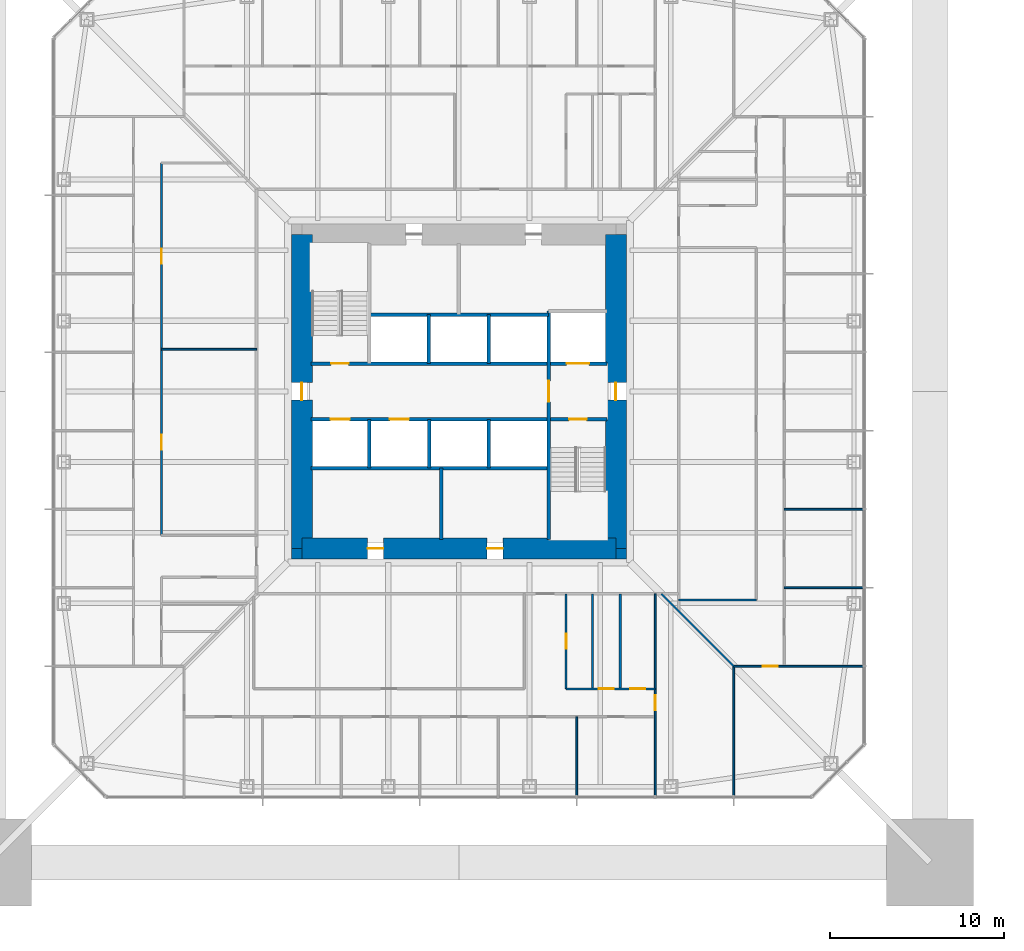
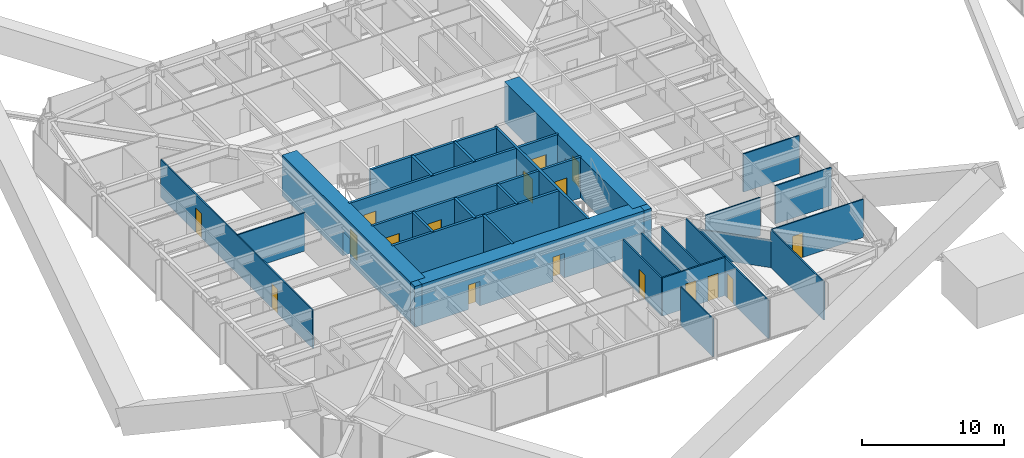
# One storey, part 16 of 27: 30 walls, 17 doors, 17 openings.
"""IFC4 building model written with IfcOpenShell, lengths in metres."""

import ifcopenshell
import ifcopenshell.guid

model = None  # the IFC model being written
_history = None  # IfcOwnerHistory: only IFC2X3 demands one
_inside = {}  # id of a spatial element -> (the spatial element, [elements in it])
_under = {}  # id of a project, library or spatial element -> (it, [spatial elements below it])
_declared = {}  # id of a project -> (the project, [libraries it declares])
_typed = {}  # id of a type object -> (the type object, [elements of that type])
_made_of = {}  # id of a material, layer set ... -> (it, [elements and type objects made of it])


def new_model(schema):
    """Start an empty IFC model of exactly this schema.

    Asked for "IFC4X3", IfcOpenShell would pick the latest addendum, in which some entities
    have other attributes; the version numbers below select the first issue.
    IFC2X3 requires an IfcOwnerHistory on every rooted entity: one is made here for all.
    """
    global model, _history
    if schema == "IFC4X3":
        model = ifcopenshell.file(schema_version=(4, 3, 0, 0))
    else:
        model = ifcopenshell.file(schema=schema)
    _inside.clear()
    _under.clear()
    _declared.clear()
    _typed.clear()
    _made_of.clear()
    _history = None
    if model.schema == "IFC2X3":
        org = make("IfcOrganization", Name="unknown")
        user = make(
            "IfcPersonAndOrganization",
            ThePerson=make("IfcPerson", FamilyName="unknown"),
            TheOrganization=org,
        )
        app = make(
            "IfcApplication",
            ApplicationDeveloper=org,
            Version="unknown",
            ApplicationFullName="unknown",
            ApplicationIdentifier="unknown",
        )
        _history = make(
            "IfcOwnerHistory",
            OwningUser=user,
            OwningApplication=app,
            ChangeAction="ADDED",
            CreationDate=0,
        )
    return model


def make(cls, **values):
    """One entity of the class cls with the attributes given. An attribute that is None is left unset."""
    return model.create_entity(
        cls, **{name: value for name, value in values.items() if value is not None}
    )


def rooted(cls, **values):
    """An entity with a GlobalId (a new one), such as an element, a storey or a relation."""
    return make(cls, GlobalId=ifcopenshell.guid.new(), OwnerHistory=_history, **values)


def si_unit(unit_type, name, prefix=None):
    """IfcSIUnit, for example si_unit("LENGTHUNIT", "METRE", prefix="MILLI")."""
    return make("IfcSIUnit", UnitType=unit_type, Prefix=prefix, Name=name)


def assignment(units):
    """IfcUnitAssignment: the units of a project."""
    return None if units is None else make("IfcUnitAssignment", Units=units)


def point(xyz):
    """IfcCartesianPoint."""
    return None if xyz is None else make("IfcCartesianPoint", Coordinates=xyz)


def direction(xyz):
    """IfcDirection."""
    return None if xyz is None else make("IfcDirection", DirectionRatios=xyz)


def frame(location, z_axis=None, x_axis=None):
    """IfcAxis2Placement3D, a coordinate frame: its origin and axes. An axis left out is left unset."""
    return make(
        "IfcAxis2Placement3D",
        Location=point(location),
        Axis=direction(z_axis),
        RefDirection=direction(x_axis),
    )


def frame_2d(location, x_axis=None):
    """IfcAxis2Placement2D, a coordinate frame in the plane: its origin and x axis."""
    return make(
        "IfcAxis2Placement2D", Location=point(location), RefDirection=direction(x_axis)
    )


def origin():
    """The frame at (0, 0, 0) with its axes left unset."""
    return frame((0.0, 0.0, 0.0))


def place(relative_to, where):
    """IfcLocalPlacement: puts the frame where relative to a parent placement (None: the world)."""
    return make(
        "IfcLocalPlacement", PlacementRelTo=relative_to, RelativePlacement=where
    )


def context(
    kind, dimensions, precision=None, world=None, true_north=None, identifier=None
):
    """IfcGeometricRepresentationContext, for example the 3D "Model" context."""
    return make(
        "IfcGeometricRepresentationContext",
        ContextIdentifier=identifier,
        ContextType=kind,
        CoordinateSpaceDimension=dimensions,
        Precision=precision,
        WorldCoordinateSystem=world,
        TrueNorth=true_north,
    )


def subcontext(parent, identifier, kind, view, scale=None):
    """IfcGeometricRepresentationSubContext, for example "Body" below "Model"."""
    return make(
        "IfcGeometricRepresentationSubContext",
        ContextIdentifier=identifier,
        ContextType=kind,
        ParentContext=parent,
        TargetScale=scale,
        TargetView=view,
    )


def project(units=None, contexts=None):
    """IfcProject with its units and contexts."""
    return rooted(
        "IfcProject",
        Name="project",
        RepresentationContexts=contexts,
        UnitsInContext=assignment(units),
    )


def spatial(cls, under=None, at=None, **own):
    """A site, building, storey or space (cls), placed at a placement, below another one or the project."""
    s = rooted(cls, ObjectPlacement=at, **own)
    if under is not None:
        _under.setdefault(under.id(), (under, []))[1].append(s)
    return s


def profile(cls, at=None, kind="AREA", **sizes):
    """A parametric profile (cls). Its sizes go by their IFC names, for example OverallWidth=200.0."""
    return make(cls, ProfileType=kind, Position=at, **sizes)


def rectangle(**sizes):
    """IfcRectangleProfileDef."""
    return profile("IfcRectangleProfileDef", **sizes)


def extrude(swept, where, along, depth):
    """IfcExtrudedAreaSolid: the profile swept, set in the frame where, extruded along a direction by depth."""
    return make(
        "IfcExtrudedAreaSolid",
        SweptArea=swept,
        Position=where,
        ExtrudedDirection=direction(along),
        Depth=depth,
    )


def shape(context_of_items, identifier, shape_type, items):
    """IfcShapeRepresentation: the items that make up one representation, for example the "Body"."""
    return make(
        "IfcShapeRepresentation",
        ContextOfItems=context_of_items,
        RepresentationIdentifier=identifier,
        RepresentationType=shape_type,
        Items=items,
    )


def material(Name=None, Category=None):
    """IfcMaterial."""
    return make("IfcMaterial", Name=Name, Category=Category)


def layer(
    of_material, thickness, ventilated=None, Name=None, Category=None, Priority=None
):
    """IfcMaterialLayer: one layer of a wall or slab, of a material (None: an air gap)."""
    return make(
        "IfcMaterialLayer",
        Material=of_material,
        LayerThickness=thickness,
        IsVentilated=ventilated,
        Name=Name,
        Category=Category,
        Priority=Priority,
    )


def layer_set(layers, Name=None):
    """IfcMaterialLayerSet."""
    return make("IfcMaterialLayerSet", MaterialLayers=layers, LayerSetName=Name)


def made_of(thing, what):
    """Note that an element or type object is made of a material, layer set ...; save() writes the relation."""
    if what is not None:
        _made_of.setdefault(what.id(), (what, []))[1].append(thing)
    return thing


def type_object(cls, material=None, **own):
    """A type object (cls), such as IfcWallType, which elements share."""
    return made_of(rooted(cls, **own), material)


def element(
    cls,
    number,
    at=None,
    inside=None,
    cuts=None,
    type_object=None,
    material=None,
    context=None,
    identifier="Body",
    shape_type=None,
    held_by="IfcProductDefinitionShape",
    body=None,
    shapes=None,
    **own,
):
    """One element of the class cls, such as IfcWall. Its Tag is "e" and its number.

    at: its placement. inside: the storey or other place that contains it. cuts: it is an
    opening in that element (IfcRelVoidsElement). A single representation is given by context,
    identifier, shape_type and body (its items); several are given by shapes. held_by: the class
    of the entity that holds the representations. save() writes the other relations.
    """
    e = rooted(cls, Tag="e%d" % number, ObjectPlacement=at, **own)
    if body is not None:
        shapes = [shape(context, identifier, shape_type, body)]
    if shapes is not None:
        e.Representation = make(held_by, Representations=shapes)
    if inside is not None:
        _inside.setdefault(inside.id(), (inside, []))[1].append(e)
    if cuts is not None:
        rooted(
            "IfcRelVoidsElement", RelatingBuildingElement=cuts, RelatedOpeningElement=e
        )
    if type_object is not None:
        _typed.setdefault(type_object.id(), (type_object, []))[1].append(e)
    return made_of(e, material)


def fill(opening, filler):
    """IfcRelFillsElement: the door or window that sits in an opening."""
    return rooted(
        "IfcRelFillsElement",
        RelatingOpeningElement=opening,
        RelatedBuildingElement=filler,
    )


def aggregate(whole, parts):
    """IfcRelAggregates: a whole, such as a stair, and the parts it consists of."""
    return rooted("IfcRelAggregates", RelatingObject=whole, RelatedObjects=parts)


def save(model, path):
    """Write the relations noted so far, then the file.

    IfcRelAggregates (storeys below a building ...), IfcRelContainedInSpatialStructure (elements
    in a storey), IfcRelDefinesByType, IfcRelAssociatesMaterial and IfcRelDeclares: one each for
    every whole, place, type object, material and project.
    """
    for whole, parts in _under.values():
        aggregate(whole, parts)
    for where, things in _inside.values():
        rooted(
            "IfcRelContainedInSpatialStructure",
            RelatedElements=things,
            RelatingStructure=where,
        )
    for kind, things in _typed.values():
        rooted("IfcRelDefinesByType", RelatedObjects=things, RelatingType=kind)
    for what, things in _made_of.values():
        rooted("IfcRelAssociatesMaterial", RelatedObjects=things, RelatingMaterial=what)
    for by, libraries in _declared.values():
        rooted("IfcRelDeclares", RelatingContext=by, RelatedDefinitions=libraries)
    model.write(path)


model = new_model("IFC4")

# Units and contexts
model_context = context("Model", 3, precision=1e-05, world=origin(), true_north=direction((0.0, 1.0)))
body_context = subcontext(model_context, "Body", "Model", "MODEL_VIEW")
ifc_project = project(units=[si_unit("LENGTHUNIT", "METRE"), si_unit("AREAUNIT", "SQUARE_METRE"), si_unit("VOLUMEUNIT", "CUBIC_METRE"), si_unit("PLANEANGLEUNIT", "RADIAN"), si_unit("MASSUNIT", "GRAM", prefix="KILO")], contexts=[model_context])

# Site, building, storey
site_placement = place(None, origin())
site = spatial("IfcSite", under=ifc_project, at=site_placement, CompositionType="ELEMENT")
building_placement = place(site_placement, origin())
building = spatial("IfcBuilding", under=site, at=building_placement, Name="Iwan Alto Co-Living Towers", CompositionType="ELEMENT")
storey_placement = place(building_placement, frame((0.0, 0.0, 25.5)))
storey = spatial("IfcBuildingStorey", under=building, at=storey_placement, Name="L06", CompositionType="ELEMENT", Elevation=25.5)

# Wall, opening, door
ifc_material_1 = material(Name="Gypsum board")
ifc_layer_1 = layer(ifc_material_1, 0.012451171875, Name="Board", Category="Finish")
ifc_material_2 = material(Name="Steel ASTM A1003 ST33H cold-formed studs", Category="steel")
ifc_layer_2 = layer(ifc_material_2, 0.074951171875, Name="Studs", Category="Framing")
ifc_layer_3 = layer(ifc_material_1, 0.012451171875, Name="Board", Category="Finish")
ifc_layer_set_1 = layer_set([ifc_layer_1, ifc_layer_2, ifc_layer_3], Name="PARTITION 100")
wall_type_1 = type_object("IfcWallType", Name="PARTITION 100", PredefinedType="PARTITIONING", material=ifc_layer_set_1)
wall_1_placement = place(storey_placement, frame((15.75, -15.75, 0.0), z_axis=(0.0, 0.0, 1.0), x_axis=(1.0, 0.0, 0.0)))
wall_1 = element("IfcWall", 1, at=wall_1_placement, inside=storey, type_object=wall_type_1, Name="Partition L06", PredefinedType="PARTITIONING", context=body_context, shape_type="SweptSolid", body=[
    extrude(rectangle(XDim=7.43994140625, YDim=0.10009765625, at=frame_2d((3.719970703125, 0.0))), origin(), (0.0, 0.0, 1.0), 3.27001953125),
])
opening_1_placement = place(wall_1_placement, frame((1.675048828125, 0.0, 0.0)))
opening_1 = element("IfcOpeningElement", 2, at=opening_1_placement, cuts=wall_1, Name="Opening D2", PredefinedType="OPENING", context=body_context, shape_type="SweptSolid", body=[
    extrude(rectangle(XDim=0.85009765625, YDim=2.10009765625, at=frame_2d((0.425048828125, 1.050048828125))), frame((0.0, 0.06005859375, 0.0), z_axis=(0.0, -1.0, 0.0), x_axis=(1.0, 0.0, 0.0)), (0.0, 0.0, 1.0), 0.1201171875),
])
ifc_material_3 = material(Name="Timber leaf in steel frame", Category="steel")
door_type_1 = type_object("IfcDoorType", Name="ROOM DOOR 850X2100", OperationType="SINGLE_SWING_LEFT", PredefinedType="DOOR", material=ifc_material_3)
door_1_placement = place(opening_1_placement, origin())
door_1 = element("IfcDoor", 3, at=door_1_placement, inside=storey, type_object=door_type_1, Name="Shared kitchen and lounge door L06", OperationType="SINGLE_SWING_RIGHT", OverallHeight=2.10009765625, OverallWidth=0.85009765625, PredefinedType="DOOR", context=body_context, shape_type="SweptSolid", body=[
    extrude(rectangle(XDim=0.85009765625, YDim=2.10009765625, at=frame_2d((0.425048828125, 1.050048828125))), frame((0.0, 0.02490234375, 0.0), z_axis=(0.0, -1.0, 0.0), x_axis=(1.0, 0.0, 0.0)), (0.0, 0.0, 1.0), 0.050048828125),
])
fill(opening_1, door_1)

# Walls
wall_2_placement = place(storey_placement, frame((12.60009765625, -11.949951171875, 0.0), z_axis=(0.0, 0.0, 1.0), x_axis=(1.0, 0.0, 0.0)))
element("IfcWall", 4, at=wall_2_placement, inside=storey, type_object=wall_type_1, Name="Partition L06", PredefinedType="PARTITIONING", context=body_context, shape_type="SweptSolid", body=[
    extrude(rectangle(XDim=4.449951171875, YDim=0.10009765625, at=frame_2d((2.22509765625, 0.0))), origin(), (0.0, 0.0, 1.0), 3.27001953125),
])
for number, where, z_axis, x_axis, name in (
    (5, (18.64990234375, -11.25, 0.0), (0.0, 0.0, 1.0), (1.0, 0.0, 0.0), "Partition L06"),
    (6, (18.64990234375, -6.75, 0.0), (0.0, 0.0, 1.0), (1.0, 0.0, 0.0), "Partition L06"),
):
    element("IfcWall", number, at=place(storey_placement, frame(where, z_axis=z_axis, x_axis=x_axis)), inside=storey, type_object=wall_type_1, Name=name, PredefinedType="PARTITIONING", context=body_context, shape_type="SweptSolid", body=[
        extrude(rectangle(XDim=4.5400390625, YDim=0.10009765625, at=frame_2d((2.27001953125, 0.0))), origin(), (0.0, 0.0, 1.0), 3.27001953125),
    ])
wall_3_placement = place(storey_placement, frame((-17.050048828125, 2.419921875, 0.0), z_axis=(0.0, 0.0, 1.0), x_axis=(1.0, 0.0, 0.0)))
element("IfcWall", 7, at=wall_3_placement, inside=storey, type_object=wall_type_1, Name="Partition L06", PredefinedType="PARTITIONING", context=body_context, shape_type="SweptSolid", body=[
    extrude(rectangle(XDim=5.449951171875, YDim=0.10009765625, at=frame_2d((2.72509765625, 0.0))), origin(), (0.0, 0.0, 1.0), 3.27001953125),
])
wall_4_placement = place(storey_placement, frame((15.75, -23.18994140625, 0.0), z_axis=(0.0, 0.0, 1.0), x_axis=(0.0, 1.0, 0.0)))
element("IfcWall", 8, at=wall_4_placement, inside=storey, type_object=wall_type_1, Name="Partition L06", PredefinedType="PARTITIONING", context=body_context, shape_type="SweptSolid", body=[
    extrude(rectangle(XDim=7.43994140625, YDim=0.10009765625, at=frame_2d((3.719970703125, 0.0))), origin(), (0.0, 0.0, 1.0), 3.27001953125),
])

# Wall, opening, door
wall_5_placement = place(storey_placement, frame((11.25, -23.18994140625, 0.0), z_axis=(0.0, 0.0, 1.0), x_axis=(0.0, 1.0, 0.0)))
wall_5 = element("IfcWall", 9, at=wall_5_placement, inside=storey, type_object=wall_type_1, Name="Partition L06", PredefinedType="PARTITIONING", context=body_context, shape_type="SweptSolid", body=[
    extrude(rectangle(XDim=11.58984375, YDim=0.10009765625, at=frame_2d((5.794921875, 0.0))), origin(), (0.0, 0.0, 1.0), 3.27001953125),
])
opening_2_placement = place(wall_5_placement, frame((4.9150390625, 0.0, 0.0)))
opening_2 = element("IfcOpeningElement", 10, at=opening_2_placement, cuts=wall_5, Name="Opening D2", PredefinedType="OPENING", context=body_context, shape_type="SweptSolid", body=[
    extrude(rectangle(XDim=0.85009765625, YDim=2.10009765625, at=frame_2d((0.425048828125, 1.050048828125))), frame((0.0, 0.06005859375, 0.0), z_axis=(0.0, -1.0, 0.0), x_axis=(1.0, 0.0, 0.0)), (0.0, 0.0, 1.0), 0.1201171875),
])
door_2_placement = place(opening_2_placement, origin())
door_2 = element("IfcDoor", 11, at=door_2_placement, inside=storey, type_object=door_type_1, Name="Seminar room door L06", OperationType="SINGLE_SWING_LEFT", OverallHeight=2.10009765625, OverallWidth=0.85009765625, PredefinedType="DOOR", context=body_context, shape_type="SweptSolid", body=[
    extrude(rectangle(XDim=0.85009765625, YDim=2.10009765625, at=frame_2d((0.425048828125, 1.050048828125))), frame((0.0, 0.02490234375, 0.0), z_axis=(0.0, -1.0, 0.0), x_axis=(1.0, 0.0, 0.0)), (0.0, 0.0, 1.0), 0.050048828125),
])
fill(opening_2, door_2)

# Wall
wall_6_placement = place(storey_placement, frame((6.75, -23.18994140625, 0.0), z_axis=(0.0, 0.0, 1.0), x_axis=(0.0, 1.0, 0.0)))
element("IfcWall", 12, at=wall_6_placement, inside=storey, type_object=wall_type_1, Name="Partition L06", PredefinedType="PARTITIONING", context=body_context, shape_type="SweptSolid", body=[
    extrude(rectangle(XDim=4.5400390625, YDim=0.10009765625, at=frame_2d((2.27001953125, 0.0))), origin(), (0.0, 0.0, 1.0), 3.27001953125),
])

# Wall, openings, doors
wall_7_placement = place(storey_placement, frame((-17.050048828125, -8.25, 0.0), z_axis=(0.0, 0.0, 1.0), x_axis=(0.0, 1.0, 0.0)))
wall_7 = element("IfcWall", 13, at=wall_7_placement, inside=storey, type_object=wall_type_1, Name="Partition L06", PredefinedType="PARTITIONING", context=body_context, shape_type="SweptSolid", body=[
    extrude(rectangle(XDim=21.340087890625, YDim=0.10009765625, at=frame_2d((10.669921875, 0.0))), origin(), (0.0, 0.0, 1.0), 3.27001953125),
])
opening_3_placement = place(wall_7_placement, frame((15.580078125, 0.0, 0.0)))
opening_3 = element("IfcOpeningElement", 14, at=opening_3_placement, cuts=wall_7, Name="Opening D2", PredefinedType="OPENING", context=body_context, shape_type="SweptSolid", body=[
    extrude(rectangle(XDim=0.85009765625, YDim=2.10009765625, at=frame_2d((0.425048828125, 1.050048828125))), frame((0.0, 0.06005859375, 0.0), z_axis=(0.0, -1.0, 0.0), x_axis=(1.0, 0.0, 0.0)), (0.0, 0.0, 1.0), 0.1201171875),
])
opening_4_placement = place(wall_7_placement, frame((4.909912109375, 0.0, 0.0)))
opening_4 = element("IfcOpeningElement", 15, at=opening_4_placement, cuts=wall_7, Name="Opening D2", PredefinedType="OPENING", context=body_context, shape_type="SweptSolid", body=[
    extrude(rectangle(XDim=0.85009765625, YDim=2.10009765625, at=frame_2d((0.425048828125, 1.050048828125))), frame((0.0, 0.06005859375, 0.0), z_axis=(0.0, -1.0, 0.0), x_axis=(1.0, 0.0, 0.0)), (0.0, 0.0, 1.0), 0.1201171875),
])
door_3_placement = place(opening_3_placement, origin())
door_3 = element("IfcDoor", 16, at=door_3_placement, inside=storey, type_object=door_type_1, Name="Study lounge door L06", OperationType="SINGLE_SWING_RIGHT", OverallHeight=2.10009765625, OverallWidth=0.85009765625, PredefinedType="DOOR", context=body_context, shape_type="SweptSolid", body=[
    extrude(rectangle(XDim=0.85009765625, YDim=2.10009765625, at=frame_2d((0.425048828125, 1.050048828125))), frame((0.0, 0.02490234375, 0.0), z_axis=(0.0, -1.0, 0.0), x_axis=(1.0, 0.0, 0.0)), (0.0, 0.0, 1.0), 0.050048828125),
])
fill(opening_3, door_3)
door_4_placement = place(opening_4_placement, origin())
door_4 = element("IfcDoor", 17, at=door_4_placement, inside=storey, type_object=door_type_1, Name="Study lounge door L06", OperationType="SINGLE_SWING_LEFT", OverallHeight=2.10009765625, OverallWidth=0.85009765625, PredefinedType="DOOR", context=body_context, shape_type="SweptSolid", body=[
    extrude(rectangle(XDim=0.85009765625, YDim=2.10009765625, at=frame_2d((0.425048828125, 1.050048828125))), frame((0.0, 0.02490234375, 0.0), z_axis=(0.0, -1.0, 0.0), x_axis=(1.0, 0.0, 0.0)), (0.0, 0.0, 1.0), 0.050048828125),
])
fill(opening_4, door_4)

# Walls
wall_8_placement = place(storey_placement, frame((15.75, -15.75, 0.0), z_axis=(0.0, 0.0, 1.0), x_axis=(-0.707106781187, 0.707106781187, 0.0)))
element("IfcWall", 18, at=wall_8_placement, inside=storey, type_object=wall_type_1, Name="Partition L06", PredefinedType="PARTITIONING", context=body_context, shape_type="SweptSolid", body=[
    extrude(rectangle(XDim=5.868896484375, YDim=0.10009765625, at=frame_2d((2.9345703125, 0.0))), origin(), (0.0, 0.0, 1.0), 2.343017578125),
])
ifc_material_4 = material(Name="Concrete f'c 70 MPa", Category="concrete")
ifc_layer_4 = layer(ifc_material_4, 0.199951171875)
ifc_layer_set_2 = layer_set([ifc_layer_4], Name="SHAFT WALL 200")
wall_type_2 = type_object("IfcWallType", Name="SHAFT WALL 200", PredefinedType="SOLIDWALL", material=ifc_layer_set_2)
wall_9_placement = place(storey_placement, frame((-8.489990234375, -4.39990234375, 0.0), z_axis=(0.0, 0.0, 1.0), x_axis=(1.0, 0.0, 0.0)))
element("IfcWall", 19, at=wall_9_placement, inside=storey, type_object=wall_type_2, Name="Shaft wall L06", PredefinedType="SOLIDWALL", context=body_context, shape_type="SweptSolid", body=[
    extrude(rectangle(XDim=13.639892578125, YDim=0.199951171875, at=frame_2d((6.81982421875, 0.0))), origin(), (0.0, 0.0, 1.0), 3.5),
])

# Wall, openings, doors
wall_10_placement = place(storey_placement, frame((-8.489990234375, -1.60009765625, 0.0), z_axis=(0.0, 0.0, 1.0), x_axis=(1.0, 0.0, 0.0)))
wall_10 = element("IfcWall", 20, at=wall_10_placement, inside=storey, type_object=wall_type_2, Name="Shaft wall L06", PredefinedType="SOLIDWALL", context=body_context, shape_type="SweptSolid", body=[
    extrude(rectangle(XDim=16.97998046875, YDim=0.199951171875, at=frame_2d((8.489990234375, 0.0))), origin(), (0.0, 0.0, 1.0), 3.5),
])
opening_5_placement = place(wall_10_placement, frame((14.81005859375, 0.0, 0.0)))
opening_5 = element("IfcOpeningElement", 21, at=opening_5_placement, cuts=wall_10, Name="Opening D5", PredefinedType="OPENING", context=body_context, shape_type="SweptSolid", body=[
    extrude(rectangle(XDim=1.0, YDim=2.10009765625, at=frame_2d((0.5, 1.050048828125))), frame((0.0, 0.10986328125, 0.0), z_axis=(0.0, -1.0, 0.0), x_axis=(1.0, 0.0, 0.0)), (0.0, 0.0, 1.0), 0.219970703125),
])
opening_6_placement = place(wall_10_placement, frame((1.133056640625, 0.0, 0.0)))
opening_6 = element("IfcOpeningElement", 22, at=opening_6_placement, cuts=wall_10, Name="Opening LD", PredefinedType="OPENING", context=body_context, shape_type="SweptSolid", body=[
    extrude(rectangle(XDim=1.10009765625, YDim=2.10009765625, at=frame_2d((0.550048828125, 1.050048828125))), frame((0.0, 0.10986328125, 0.0), z_axis=(0.0, -1.0, 0.0), x_axis=(1.0, 0.0, 0.0)), (0.0, 0.0, 1.0), 0.219970703125),
])
opening_7_placement = place(wall_10_placement, frame((4.528076171875, 0.0, 0.0)))
opening_7 = element("IfcOpeningElement", 23, at=opening_7_placement, cuts=wall_10, Name="Opening LD", PredefinedType="OPENING", context=body_context, shape_type="SweptSolid", body=[
    extrude(rectangle(XDim=1.10009765625, YDim=2.10009765625, at=frame_2d((0.550048828125, 1.050048828125))), frame((0.0, 0.10986328125, 0.0), z_axis=(0.0, -1.0, 0.0), x_axis=(1.0, 0.0, 0.0)), (0.0, 0.0, 1.0), 0.219970703125),
])
ifc_material_5 = material(Name="Steel frame with timber leaf", Category="steel")
door_type_2 = type_object("IfcDoorType", Name="LIFT LANDING DOOR 1100X2100", OperationType="DOUBLE_DOOR_SLIDING", PredefinedType="DOOR", material=ifc_material_5)
door_5_placement = place(opening_6_placement, origin())
door_5 = element("IfcDoor", 24, at=door_5_placement, inside=storey, type_object=door_type_2, Name="Lift P1-1 landing door L06", OperationType="DOUBLE_DOOR_SLIDING", OverallHeight=2.10009765625, OverallWidth=1.10009765625, PredefinedType="DOOR", context=body_context, shape_type="SweptSolid", body=[
    extrude(rectangle(XDim=1.10009765625, YDim=2.10009765625, at=frame_2d((0.550048828125, 1.050048828125))), frame((0.0, 0.02490234375, 0.0), z_axis=(0.0, -1.0, 0.0), x_axis=(1.0, 0.0, 0.0)), (0.0, 0.0, 1.0), 0.050048828125),
])
fill(opening_6, door_5)
door_6_placement = place(opening_7_placement, origin())
door_6 = element("IfcDoor", 25, at=door_6_placement, inside=storey, type_object=door_type_2, Name="Lift P1-2 landing door L06", OperationType="DOUBLE_DOOR_SLIDING", OverallHeight=2.10009765625, OverallWidth=1.10009765625, PredefinedType="DOOR", context=body_context, shape_type="SweptSolid", body=[
    extrude(rectangle(XDim=1.10009765625, YDim=2.10009765625, at=frame_2d((0.550048828125, 1.050048828125))), frame((0.0, 0.02490234375, 0.0), z_axis=(0.0, -1.0, 0.0), x_axis=(1.0, 0.0, 0.0)), (0.0, 0.0, 1.0), 0.050048828125),
])
fill(opening_7, door_6)
ifc_material_6 = material(Name="Steel frame with timber leaf", Category="steel")
door_type_3 = type_object("IfcDoorType", Name="STAIR DOOR FD120S 1000X2100", OperationType="SINGLE_SWING_LEFT", PredefinedType="DOOR", material=ifc_material_6)
door_7_placement = place(opening_5_placement, frame((1.0, 0.0, 0.0), z_axis=(0.0, 0.0, 1.0), x_axis=(-1.0, 0.0, 0.0)))
door_7 = element("IfcDoor", 26, at=door_7_placement, inside=storey, type_object=door_type_3, Name="Stair S2 door L06", OperationType="SINGLE_SWING_RIGHT", OverallHeight=2.10009765625, OverallWidth=1.0, PredefinedType="DOOR", context=body_context, shape_type="SweptSolid", body=[
    extrude(rectangle(XDim=1.0, YDim=2.10009765625, at=frame_2d((0.5, 1.050048828125))), frame((0.0, 0.02490234375, 0.0), z_axis=(0.0, -1.0, 0.0), x_axis=(1.0, 0.0, 0.0)), (0.0, 0.0, 1.0), 0.050048828125),
])
fill(opening_5, door_7)

wall_11_placement = place(storey_placement, frame((-8.489990234375, 1.60009765625, 0.0), z_axis=(0.0, 0.0, 1.0), x_axis=(1.0, 0.0, 0.0)))
wall_11 = element("IfcWall", 27, at=wall_11_placement, inside=storey, type_object=wall_type_2, Name="Shaft wall L06", PredefinedType="SOLIDWALL", context=body_context, shape_type="SweptSolid", body=[
    extrude(rectangle(XDim=16.97998046875, YDim=0.199951171875, at=frame_2d((8.489990234375, 0.0))), origin(), (0.0, 0.0, 1.0), 3.5),
])
opening_8_placement = place(wall_11_placement, frame((1.169921875, 0.0, 0.0)))
opening_8 = element("IfcOpeningElement", 28, at=opening_8_placement, cuts=wall_11, Name="Opening D5", PredefinedType="OPENING", context=body_context, shape_type="SweptSolid", body=[
    extrude(rectangle(XDim=1.0, YDim=2.10009765625, at=frame_2d((0.5, 1.050048828125))), frame((0.0, 0.10986328125, 0.0), z_axis=(0.0, -1.0, 0.0), x_axis=(1.0, 0.0, 0.0)), (0.0, 0.0, 1.0), 0.219970703125),
])
opening_9_placement = place(wall_11_placement, frame((14.659912109375, 0.0, 0.0)))
opening_9 = element("IfcOpeningElement", 29, at=opening_9_placement, cuts=wall_11, Name="Opening LD2", PredefinedType="OPENING", context=body_context, shape_type="SweptSolid", body=[
    extrude(rectangle(XDim=1.300048828125, YDim=2.10009765625, at=frame_2d((0.64990234375, 1.050048828125))), frame((0.0, 0.10986328125, 0.0), z_axis=(0.0, -1.0, 0.0), x_axis=(1.0, 0.0, 0.0)), (0.0, 0.0, 1.0), 0.219970703125),
])
ifc_material_7 = material(Name="Steel frame with timber leaf", Category="steel")
door_type_4 = type_object("IfcDoorType", Name="LIFT LANDING DOOR 1300X2100", OperationType="SLIDING_TO_LEFT", PredefinedType="DOOR", material=ifc_material_7)
door_8_placement = place(opening_9_placement, origin())
door_8 = element("IfcDoor", 30, at=door_8_placement, inside=storey, type_object=door_type_4, Name="Lift FL1 landing door L06", OperationType="SLIDING_TO_LEFT", OverallHeight=2.10009765625, OverallWidth=1.300048828125, PredefinedType="DOOR", context=body_context, shape_type="SweptSolid", body=[
    extrude(rectangle(XDim=1.300048828125, YDim=2.10009765625, at=frame_2d((0.64990234375, 1.050048828125))), frame((0.0, 0.02490234375, 0.0), z_axis=(0.0, -1.0, 0.0), x_axis=(1.0, 0.0, 0.0)), (0.0, 0.0, 1.0), 0.050048828125),
])
fill(opening_9, door_8)
door_9_placement = place(opening_8_placement, origin())
door_9 = element("IfcDoor", 31, at=door_9_placement, inside=storey, type_object=door_type_3, Name="Stair S1 door L06", OperationType="SINGLE_SWING_RIGHT", OverallHeight=2.10009765625, OverallWidth=1.0, PredefinedType="DOOR", context=body_context, shape_type="SweptSolid", body=[
    extrude(rectangle(XDim=1.0, YDim=2.10009765625, at=frame_2d((0.5, 1.050048828125))), frame((0.0, 0.02490234375, 0.0), z_axis=(0.0, -1.0, 0.0), x_axis=(1.0, 0.0, 0.0)), (0.0, 0.0, 1.0), 0.050048828125),
])
fill(opening_8, door_9)

# Wall
wall_12_placement = place(storey_placement, frame((-5.14990234375, 4.39990234375, 0.0), z_axis=(0.0, 0.0, 1.0), x_axis=(1.0, 0.0, 0.0)))
element("IfcWall", 32, at=wall_12_placement, inside=storey, type_object=wall_type_2, Name="Shaft wall L06", PredefinedType="SOLIDWALL", context=body_context, shape_type="SweptSolid", body=[
    extrude(rectangle(XDim=10.2998046875, YDim=0.199951171875, at=frame_2d((5.14990234375, 0.0))), origin(), (0.0, 0.0, 1.0), 3.5),
])

# Wall, opening, door
wall_13_placement = place(storey_placement, frame((5.14990234375, -8.489990234375, 0.0), z_axis=(0.0, 0.0, 1.0), x_axis=(0.0, 1.0, 0.0)))
wall_13 = element("IfcWall", 33, at=wall_13_placement, inside=storey, type_object=wall_type_2, Name="Shaft wall L06", PredefinedType="SOLIDWALL", context=body_context, shape_type="SweptSolid", body=[
    extrude(rectangle(XDim=13.090087890625, YDim=0.199951171875, at=frame_2d((6.544921875, 0.0))), origin(), (0.0, 0.0, 1.0), 3.5),
])
opening_10_placement = place(wall_13_placement, frame((7.889892578125, 0.0, 0.0)))
opening_10 = element("IfcOpeningElement", 34, at=opening_10_placement, cuts=wall_13, Name="Opening D6", PredefinedType="OPENING", context=body_context, shape_type="SweptSolid", body=[
    extrude(rectangle(XDim=1.199951171875, YDim=2.10009765625, at=frame_2d((0.60009765625, 1.050048828125))), frame((0.0, 0.10986328125, 0.0), z_axis=(0.0, -1.0, 0.0), x_axis=(1.0, 0.0, 0.0)), (0.0, 0.0, 1.0), 0.219970703125),
])
ifc_material_8 = material(Name="Steel frame with timber leaf", Category="steel")
door_type_5 = type_object("IfcDoorType", Name="LOBBY DOOR FD120S 1200X2100", OperationType="SINGLE_SWING_LEFT", PredefinedType="DOOR", material=ifc_material_8)
door_10_placement = place(opening_10_placement, frame((1.199951171875, 0.0, 0.0), z_axis=(0.0, 0.0, 1.0), x_axis=(-1.0, 0.0, 0.0)))
door_10 = element("IfcDoor", 35, at=door_10_placement, inside=storey, type_object=door_type_5, Name="Firefighting lobby door L06", OperationType="SINGLE_SWING_RIGHT", OverallHeight=2.10009765625, OverallWidth=1.199951171875, PredefinedType="DOOR", context=body_context, shape_type="SweptSolid", body=[
    extrude(rectangle(XDim=1.199951171875, YDim=2.10009765625, at=frame_2d((0.60009765625, 1.050048828125))), frame((0.0, 0.02490234375, 0.0), z_axis=(0.0, -1.0, 0.0), x_axis=(1.0, 0.0, 0.0)), (0.0, 0.0, 1.0), 0.050048828125),
])
fill(opening_10, door_10)

# Walls
for number, where, z_axis, x_axis, name in (
    (36, (1.72509765625, -4.39990234375, 0.0), (0.0, 0.0, 1.0), (0.0, 1.0, 0.0), "Shaft wall L06"),
    (37, (1.717041015625, 1.60009765625, 0.0), (0.0, 0.0, 1.0), (0.0, 1.0, 0.0), "Shaft wall L06"),
):
    element("IfcWall", number, at=place(storey_placement, frame(where, z_axis=z_axis, x_axis=x_axis)), inside=storey, type_object=wall_type_2, Name=name, PredefinedType="SOLIDWALL", context=body_context, shape_type="SweptSolid", body=[
        extrude(rectangle(XDim=2.7998046875, YDim=0.199951171875, at=frame_2d((1.39990234375, 0.0))), origin(), (0.0, 0.0, 1.0), 3.5),
    ])
wall_14_placement = place(storey_placement, frame((-1.0, -8.489990234375, 0.0), z_axis=(0.0, 0.0, 1.0), x_axis=(0.0, 1.0, 0.0)))
element("IfcWall", 38, at=wall_14_placement, inside=storey, type_object=wall_type_2, Name="Shaft wall L06", PredefinedType="SOLIDWALL", context=body_context, shape_type="SweptSolid", body=[
    extrude(rectangle(XDim=4.090087890625, YDim=0.199951171875, at=frame_2d((2.044921875, 0.0))), origin(), (0.0, 0.0, 1.0), 3.5),
])
for number, where, z_axis, x_axis, name in (
    (39, (-1.699951171875, -4.39990234375, 0.0), (0.0, 0.0, 1.0), (0.0, 1.0, 0.0), "Shaft wall L06"),
    (40, (-1.717041015625, 1.60009765625, 0.0), (0.0, 0.0, 1.0), (0.0, 1.0, 0.0), "Shaft wall L06"),
    (41, (-5.125, -4.39990234375, 0.0), (0.0, 0.0, 1.0), (0.0, 1.0, 0.0), "Shaft wall L06"),
):
    element("IfcWall", number, at=place(storey_placement, frame(where, z_axis=z_axis, x_axis=x_axis)), inside=storey, type_object=wall_type_2, Name=name, PredefinedType="SOLIDWALL", context=body_context, shape_type="SweptSolid", body=[
        extrude(rectangle(XDim=2.7998046875, YDim=0.199951171875, at=frame_2d((1.39990234375, 0.0))), origin(), (0.0, 0.0, 1.0), 3.5),
    ])
ifc_material_9 = material(Name="Concrete f'c 70 MPa", Category="concrete")
ifc_layer_5 = layer(ifc_material_9, 0.60009765625)
ifc_layer_set_3 = layer_set([ifc_layer_5], Name="T1 CORE CORNER FILL 600")
wall_type_3 = type_object("IfcWallType", Name="T1 CORE CORNER FILL 600", PredefinedType="SOLIDWALL", material=ifc_layer_set_3)
for number, where, z_axis, x_axis, name in (
    (42, (-9.60009765625, -9.300048828125, 0.0), (0.0, 0.0, 1.0), (1.0, 0.0, 0.0), "T1 core corner SW L06"),
    (43, (9.0, -9.300048828125, 0.0), (0.0, 0.0, 1.0), (1.0, 0.0, 0.0), "T1 core corner SE L06"),
):
    element("IfcWall", number, at=place(storey_placement, frame(where, z_axis=z_axis, x_axis=x_axis)), inside=storey, type_object=wall_type_3, Name=name, PredefinedType="SOLIDWALL", context=body_context, shape_type="SweptSolid", body=[
        extrude(rectangle(XDim=0.60009765625, YDim=0.60009765625, at=frame_2d((0.300048828125, 0.0))), origin(), (0.0, 0.0, 1.0), 3.5),
    ])

# Wall, openings, doors
ifc_material_10 = material(Name="Concrete f'c 70 MPa", Category="concrete")
ifc_layer_6 = layer(ifc_material_10, 1.199951171875)
ifc_layer_set_4 = layer_set([ifc_layer_6], Name="T1 CORE WALL 1200")
wall_type_4 = type_object("IfcWallType", Name="T1 CORE WALL 1200", PredefinedType="SHEAR", material=ifc_layer_set_4)
wall_15_placement = place(storey_placement, frame((-9.0, -9.0, 0.0), z_axis=(0.0, 0.0, 1.0), x_axis=(1.0, 0.0, 0.0)))
wall_15 = element("IfcWall", 44, at=wall_15_placement, inside=storey, type_object=wall_type_4, Name="T1 core wall S L06", PredefinedType="SHEAR", context=body_context, shape_type="SweptSolid", body=[
    extrude(rectangle(XDim=18.0, YDim=1.199951171875, at=frame_2d((9.0, 0.0))), origin(), (0.0, 0.0, 1.0), 3.5),
])
opening_11_placement = place(wall_15_placement, frame((3.77490234375, 0.0, 0.0)))
opening_11 = element("IfcOpeningElement", 45, at=opening_11_placement, cuts=wall_15, Name="Opening D8", PredefinedType="OPENING", context=body_context, shape_type="SweptSolid", body=[
    extrude(rectangle(XDim=0.89990234375, YDim=2.10009765625, at=frame_2d((0.449951171875, 1.050048828125))), frame((0.0, 0.60986328125, 0.0), z_axis=(0.0, -1.0, 0.0), x_axis=(1.0, 0.0, 0.0)), (0.0, 0.0, 1.0), 1.219970703125),
])
opening_12_placement = place(wall_15_placement, frame((10.625, 0.0, 0.0)))
opening_12 = element("IfcOpeningElement", 46, at=opening_12_placement, cuts=wall_15, Name="Opening D8", PredefinedType="OPENING", context=body_context, shape_type="SweptSolid", body=[
    extrude(rectangle(XDim=0.89990234375, YDim=2.10009765625, at=frame_2d((0.449951171875, 1.050048828125))), frame((0.0, 0.60986328125, 0.0), z_axis=(0.0, -1.0, 0.0), x_axis=(1.0, 0.0, 0.0)), (0.0, 0.0, 1.0), 1.219970703125),
])
ifc_material_11 = material(Name="Steel frame with timber leaf", Category="steel")
door_type_6 = type_object("IfcDoorType", Name="RISER DOOR FD120 900X2100", OperationType="SINGLE_SWING_LEFT", PredefinedType="DOOR", material=ifc_material_11)
door_11_placement = place(opening_11_placement, origin())
door_11 = element("IfcDoor", 47, at=door_11_placement, inside=storey, type_object=door_type_6, Name="Refuse room core door L06", OperationType="SINGLE_SWING_LEFT", OverallHeight=2.10009765625, OverallWidth=0.89990234375, PredefinedType="DOOR", context=body_context, shape_type="SweptSolid", body=[
    extrude(rectangle(XDim=0.89990234375, YDim=2.10009765625, at=frame_2d((0.449951171875, 1.050048828125))), frame((0.0, 0.02490234375, 0.0), z_axis=(0.0, -1.0, 0.0), x_axis=(1.0, 0.0, 0.0)), (0.0, 0.0, 1.0), 0.050048828125),
])
fill(opening_11, door_11)
door_12_placement = place(opening_12_placement, origin())
door_12 = element("IfcDoor", 48, at=door_12_placement, inside=storey, type_object=door_type_6, Name="Telecom riser core door L06", OperationType="SINGLE_SWING_LEFT", OverallHeight=2.10009765625, OverallWidth=0.89990234375, PredefinedType="DOOR", context=body_context, shape_type="SweptSolid", body=[
    extrude(rectangle(XDim=0.89990234375, YDim=2.10009765625, at=frame_2d((0.449951171875, 1.050048828125))), frame((0.0, 0.02490234375, 0.0), z_axis=(0.0, -1.0, 0.0), x_axis=(1.0, 0.0, 0.0)), (0.0, 0.0, 1.0), 0.050048828125),
])
fill(opening_12, door_12)

# Wall, opening, door
wall_16_placement = place(storey_placement, frame((9.0, -9.0, 0.0), z_axis=(0.0, 0.0, 1.0), x_axis=(0.0, 1.0, 0.0)))
wall_16 = element("IfcWall", 49, at=wall_16_placement, inside=storey, type_object=wall_type_4, Name="T1 core wall E L06", PredefinedType="SHEAR", context=body_context, shape_type="SweptSolid", body=[
    extrude(rectangle(XDim=18.0, YDim=1.199951171875, at=frame_2d((9.0, 0.0))), origin(), (0.0, 0.0, 1.0), 3.5),
])
opening_13_placement = place(wall_16_placement, frame((8.5, 0.0, 0.0)))
opening_13 = element("IfcOpeningElement", 50, at=opening_13_placement, cuts=wall_16, Name="Opening D7", PredefinedType="OPENING", context=body_context, shape_type="SweptSolid", body=[
    extrude(rectangle(XDim=1.0, YDim=2.10009765625, at=frame_2d((0.5, 1.050048828125))), frame((0.0, 0.60986328125, 0.0), z_axis=(0.0, -1.0, 0.0), x_axis=(1.0, 0.0, 0.0)), (0.0, 0.0, 1.0), 1.219970703125),
])
ifc_material_12 = material(Name="Steel frame with timber leaf", Category="steel")
door_type_7 = type_object("IfcDoorType", Name="CORE DOOR FD120S 1000X2100", OperationType="SINGLE_SWING_LEFT", PredefinedType="DOOR", material=ifc_material_12)
door_13_placement = place(opening_13_placement, origin())
door_13 = element("IfcDoor", 51, at=door_13_placement, inside=storey, type_object=door_type_7, Name="Firefighting lobby core door L06", OperationType="SINGLE_SWING_LEFT", OverallHeight=2.10009765625, OverallWidth=1.0, PredefinedType="DOOR", context=body_context, shape_type="SweptSolid", body=[
    extrude(rectangle(XDim=1.0, YDim=2.10009765625, at=frame_2d((0.5, 1.050048828125))), frame((0.0, 0.02490234375, 0.0), z_axis=(0.0, -1.0, 0.0), x_axis=(1.0, 0.0, 0.0)), (0.0, 0.0, 1.0), 0.050048828125),
])
fill(opening_13, door_13)

wall_17_placement = place(storey_placement, frame((-9.0, 9.0, 0.0), z_axis=(0.0, 0.0, 1.0), x_axis=(0.0, -1.0, 0.0)))
wall_17 = element("IfcWall", 52, at=wall_17_placement, inside=storey, type_object=wall_type_4, Name="T1 core wall W L06", PredefinedType="SHEAR", context=body_context, shape_type="SweptSolid", body=[
    extrude(rectangle(XDim=18.0, YDim=1.199951171875, at=frame_2d((9.0, 0.0))), origin(), (0.0, 0.0, 1.0), 3.5),
])
opening_14_placement = place(wall_17_placement, frame((8.5, 0.0, 0.0)))
opening_14 = element("IfcOpeningElement", 53, at=opening_14_placement, cuts=wall_17, Name="Opening D7", PredefinedType="OPENING", context=body_context, shape_type="SweptSolid", body=[
    extrude(rectangle(XDim=1.0, YDim=2.10009765625, at=frame_2d((0.5, 1.050048828125))), frame((0.0, 0.60986328125, 0.0), z_axis=(0.0, -1.0, 0.0), x_axis=(1.0, 0.0, 0.0)), (0.0, 0.0, 1.0), 1.219970703125),
])
door_14_placement = place(opening_14_placement, origin())
door_14 = element("IfcDoor", 54, at=door_14_placement, inside=storey, type_object=door_type_7, Name="Lift lobby core door L06", OperationType="SINGLE_SWING_RIGHT", OverallHeight=2.10009765625, OverallWidth=1.0, PredefinedType="DOOR", context=body_context, shape_type="SweptSolid", body=[
    extrude(rectangle(XDim=1.0, YDim=2.10009765625, at=frame_2d((0.5, 1.050048828125))), frame((0.0, 0.02490234375, 0.0), z_axis=(0.0, -1.0, 0.0), x_axis=(1.0, 0.0, 0.0)), (0.0, 0.0, 1.0), 0.050048828125),
])
fill(opening_14, door_14)

# Wall, openings, doors
ifc_material_13 = material(Name="Cement board")
ifc_layer_7 = layer(ifc_material_13, 0.012451171875, Name="Board", Category="Finish")
ifc_layer_8 = layer(ifc_material_2, 0.094970703125, Name="Studs", Category="Framing")
ifc_layer_9 = layer(ifc_material_13, 0.012451171875, Name="Board", Category="Finish")
ifc_layer_set_5 = layer_set([ifc_layer_7, ifc_layer_8, ifc_layer_9], Name="WET AREA PARTITION 120")
wall_type_5 = type_object("IfcWallType", Name="WET AREA PARTITION 120", PredefinedType="PARTITIONING", material=ifc_layer_set_5)
wall_18_placement = place(storey_placement, frame((6.14990234375, -17.050048828125, 0.0), z_axis=(0.0, 0.0, 1.0), x_axis=(1.0, 0.0, 0.0)))
wall_18 = element("IfcWall", 55, at=wall_18_placement, inside=storey, type_object=wall_type_5, Name="Partition L06", PredefinedType="PARTITIONING", context=body_context, shape_type="SweptSolid", body=[
    extrude(rectangle(XDim=5.10009765625, YDim=0.1201171875, at=frame_2d((2.550048828125, 0.0))), origin(), (0.0, 0.0, 1.0), 3.27001953125),
])
opening_15_placement = place(wall_18_placement, frame((1.875, 0.0, 0.0)))
opening_15 = element("IfcOpeningElement", 56, at=opening_15_placement, cuts=wall_18, Name="Opening D2", PredefinedType="OPENING", context=body_context, shape_type="SweptSolid", body=[
    extrude(rectangle(XDim=0.85009765625, YDim=2.10009765625, at=frame_2d((0.425048828125, 1.050048828125))), frame((0.0, 0.070068359375, 0.0), z_axis=(0.0, -1.0, 0.0), x_axis=(1.0, 0.0, 0.0)), (0.0, 0.0, 1.0), 0.14013671875),
])
opening_16_placement = place(wall_18_placement, frame((3.675048828125, 0.0, 0.0)))
opening_16 = element("IfcOpeningElement", 57, at=opening_16_placement, cuts=wall_18, Name="Opening D2", PredefinedType="OPENING", context=body_context, shape_type="SweptSolid", body=[
    extrude(rectangle(XDim=0.85009765625, YDim=2.10009765625, at=frame_2d((0.425048828125, 1.050048828125))), frame((0.0, 0.070068359375, 0.0), z_axis=(0.0, -1.0, 0.0), x_axis=(1.0, 0.0, 0.0)), (0.0, 0.0, 1.0), 0.14013671875),
])
door_15_placement = place(opening_15_placement, frame((0.85009765625, 0.0, 0.0), z_axis=(0.0, 0.0, 1.0), x_axis=(-1.0, 0.0, 0.0)))
door_15 = element("IfcDoor", 58, at=door_15_placement, inside=storey, type_object=door_type_1, Name="Accessible bathroom door L06", OperationType="SINGLE_SWING_LEFT", OverallHeight=2.10009765625, OverallWidth=0.85009765625, PredefinedType="DOOR", context=body_context, shape_type="SweptSolid", body=[
    extrude(rectangle(XDim=0.85009765625, YDim=2.10009765625, at=frame_2d((0.425048828125, 1.050048828125))), frame((0.0, 0.02490234375, 0.0), z_axis=(0.0, -1.0, 0.0), x_axis=(1.0, 0.0, 0.0)), (0.0, 0.0, 1.0), 0.050048828125),
])
fill(opening_15, door_15)
door_16_placement = place(opening_16_placement, frame((0.85009765625, 0.0, 0.0), z_axis=(0.0, 0.0, 1.0), x_axis=(-1.0, 0.0, 0.0)))
door_16 = element("IfcDoor", 59, at=door_16_placement, inside=storey, type_object=door_type_1, Name="Laundry door L06", OperationType="SINGLE_SWING_LEFT", OverallHeight=2.10009765625, OverallWidth=0.85009765625, PredefinedType="DOOR", context=body_context, shape_type="SweptSolid", body=[
    extrude(rectangle(XDim=0.85009765625, YDim=2.10009765625, at=frame_2d((0.425048828125, 1.050048828125))), frame((0.0, 0.02490234375, 0.0), z_axis=(0.0, -1.0, 0.0), x_axis=(1.0, 0.0, 0.0)), (0.0, 0.0, 1.0), 0.050048828125),
])
fill(opening_16, door_16)

# Walls
for number, where, z_axis, x_axis, name in (
    (60, (9.25, -17.050048828125, 0.0), (0.0, 0.0, 1.0), (0.0, 1.0, 0.0), "Partition L06"),
    (61, (7.64990234375, -17.050048828125, 0.0), (0.0, 0.0, 1.0), (0.0, 1.0, 0.0), "Partition L06"),
):
    element("IfcWall", number, at=place(storey_placement, frame(where, z_axis=z_axis, x_axis=x_axis)), inside=storey, type_object=wall_type_5, Name=name, PredefinedType="PARTITIONING", context=body_context, shape_type="SweptSolid", body=[
        extrude(rectangle(XDim=5.449951171875, YDim=0.1201171875, at=frame_2d((2.72509765625, 0.0))), origin(), (0.0, 0.0, 1.0), 3.27001953125),
    ])

# Wall, opening, door
wall_19_placement = place(storey_placement, frame((6.14990234375, -17.050048828125, 0.0), z_axis=(0.0, 0.0, 1.0), x_axis=(0.0, 1.0, 0.0)))
wall_19 = element("IfcWall", 62, at=wall_19_placement, inside=storey, type_object=wall_type_5, Name="Partition L06", PredefinedType="PARTITIONING", context=body_context, shape_type="SweptSolid", body=[
    extrude(rectangle(XDim=5.449951171875, YDim=0.1201171875, at=frame_2d((2.72509765625, 0.0))), origin(), (0.0, 0.0, 1.0), 3.27001953125),
])
opening_17_placement = place(wall_19_placement, frame((2.300048828125, 0.0, 0.0)))
opening_17 = element("IfcOpeningElement", 63, at=opening_17_placement, cuts=wall_19, Name="Opening D2", PredefinedType="OPENING", context=body_context, shape_type="SweptSolid", body=[
    extrude(rectangle(XDim=0.85009765625, YDim=2.10009765625, at=frame_2d((0.425048828125, 1.050048828125))), frame((0.0, 0.070068359375, 0.0), z_axis=(0.0, -1.0, 0.0), x_axis=(1.0, 0.0, 0.0)), (0.0, 0.0, 1.0), 0.14013671875),
])
door_17_placement = place(opening_17_placement, origin())
door_17 = element("IfcDoor", 64, at=door_17_placement, inside=storey, type_object=door_type_1, Name="Bathroom door L06", OperationType="SINGLE_SWING_RIGHT", OverallHeight=2.10009765625, OverallWidth=0.85009765625, PredefinedType="DOOR", context=body_context, shape_type="SweptSolid", body=[
    extrude(rectangle(XDim=0.85009765625, YDim=2.10009765625, at=frame_2d((0.425048828125, 1.050048828125))), frame((0.0, 0.02490234375, 0.0), z_axis=(0.0, -1.0, 0.0), x_axis=(1.0, 0.0, 0.0)), (0.0, 0.0, 1.0), 0.050048828125),
])
fill(opening_17, door_17)

save(model, "model.ifc")
